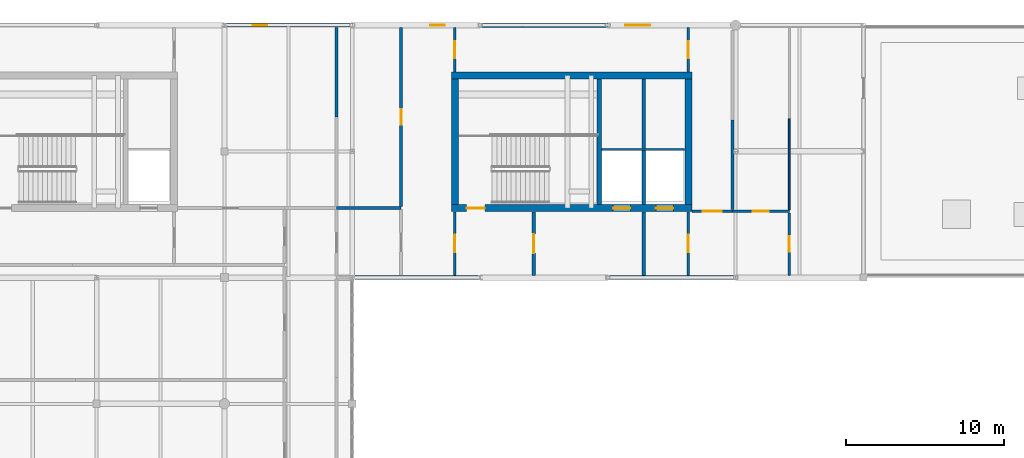
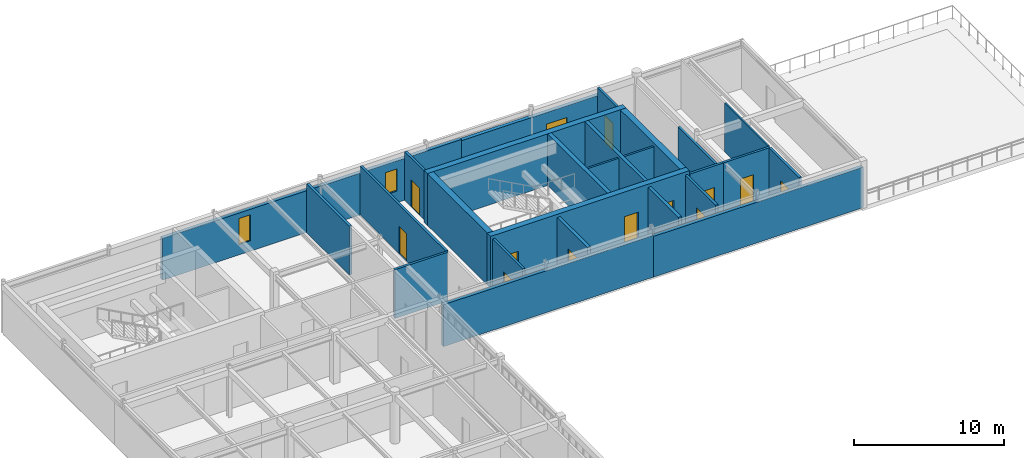
# One storey, part 14 of 18: 26 walls, 12 doors, 3 windows, 15 openings.
"""IFC4 building model written with IfcOpenShell, lengths in metres."""

from ifc_helpers import new_model, si_unit, direction, frame, frame_2d, origin, place, context, subcontext, project, spatial, rectangle, extrude, material, layer, layer_set, type_object, element, fill, save


model = new_model("IFC4")

# Units and contexts
model_context = context("Model", 3, precision=1e-05, world=origin(), true_north=direction((0.0, 1.0)))
body_context = subcontext(model_context, "Body", "Model", "MODEL_VIEW")
ifc_project = project(units=[si_unit("LENGTHUNIT", "METRE"), si_unit("AREAUNIT", "SQUARE_METRE"), si_unit("VOLUMEUNIT", "CUBIC_METRE"), si_unit("PLANEANGLEUNIT", "RADIAN"), si_unit("MASSUNIT", "GRAM", prefix="KILO")], contexts=[model_context])

# Site, building, storey
site_placement = place(None, origin())
site = spatial("IfcSite", under=ifc_project, at=site_placement, CompositionType="ELEMENT")
building_placement = place(site_placement, origin())
building = spatial("IfcBuilding", under=site, at=building_placement, Name="Tarnveldt Square Police Headquarters", CompositionType="ELEMENT")
storey_placement = place(building_placement, frame((0.0, 0.0, 29.10009765625)))
storey = spatial("IfcBuildingStorey", under=building, at=storey_placement, Name="L06", CompositionType="ELEMENT", Elevation=29.10009765625)

# Wall
ifc_material_1 = material(Name="Fire-rated Type X gypsum board on steel studs", Category="steel")
ifc_layer_1 = layer(ifc_material_1, 0.199951171875)
ifc_layer_set_1 = layer_set([ifc_layer_1], Name="Fire-rated Type X gypsum board on steel studs")
wall_type_1 = type_object("IfcWallType", Name="WL-ACOUST-200", PredefinedType="PARTITIONING", material=ifc_layer_set_1)
wall_1_placement = place(storey_placement, frame((39.5, 106.179931640625, 0.0), z_axis=(0.0, 0.0, 1.0), x_axis=(0.0, 1.0, 0.0)))
element("IfcWall", 1, at=wall_1_placement, inside=storey, type_object=wall_type_1, Name="L06 Interior Partition Wall 0708", PredefinedType="PARTITIONING", context=body_context, shape_type="SweptSolid", body=[
    extrude(rectangle(XDim=5.68212890625, YDim=0.199951171875, at=frame_2d((2.841064453125, 0.0))), origin(), (0.0, 0.0, 1.0), 3.9599609375),
])

# Wall, openings, doors
ifc_material_2 = material(Name="Concrete 50 MPa", Category="concrete")
ifc_layer_2 = layer(ifc_material_2, 0.449951171875)
ifc_layer_set_2 = layer_set([ifc_layer_2], Name="Concrete 50 MPa")
wall_type_2 = type_object("IfcWallType", Name="WL-CORE-450", PredefinedType="SHEAR", material=ifc_layer_set_2)
wall_2_placement = place(storey_placement, frame((46.77490234375, 100.39990234375, 0.0), z_axis=(0.0, 0.0, 1.0), x_axis=(1.0, 0.0, 0.0)))
wall_2 = element("IfcWall", 2, at=wall_2_placement, inside=storey, type_object=wall_type_2, Name="Core K3 North-Central Forensic and Firefighting Core L06 South Shear Wall", PredefinedType="SHEAR", context=body_context, shape_type="SweptSolid", body=[
    extrude(rectangle(XDim=15.25, YDim=0.449951171875, at=frame_2d((7.625, 0.0))), origin(), (0.0, 0.0, 1.0), 4.199951171875),
])
opening_1_placement = place(wall_2_placement, frame((0.97509765625, 0.0, 0.0)))
opening_1 = element("IfcOpeningElement", 3, at=opening_1_placement, cuts=wall_2, Name="Opening D-ST3-L06", PredefinedType="OPENING", context=body_context, shape_type="SweptSolid", body=[
    extrude(rectangle(XDim=1.14990234375, YDim=2.25, at=frame_2d((0.574951171875, 1.125))), frame((0.0, 0.23486328125, 0.0), z_axis=(0.0, -1.0, 0.0), x_axis=(1.0, 0.0, 0.0)), (0.0, 0.0, 1.0), 0.469970703125),
])
opening_2_placement = place(wall_2_placement, frame((10.257568359375, 0.0, 0.0)))
opening_2 = element("IfcOpeningElement", 4, at=opening_2_placement, cuts=wall_2, Name="Opening LD-LF2-L06", PredefinedType="OPENING", context=body_context, shape_type="SweptSolid", body=[
    extrude(rectangle(XDim=1.10009765625, YDim=2.199951171875, at=frame_2d((0.550048828125, 1.10009765625))), frame((0.0, 0.23486328125, 0.0), z_axis=(0.0, -1.0, 0.0), x_axis=(1.0, 0.0, 0.0)), (0.0, 0.0, 1.0), 0.469970703125),
])
opening_3_placement = place(wall_2_placement, frame((12.972412109375, 0.0, 0.0)))
opening_3 = element("IfcOpeningElement", 5, at=opening_3_placement, cuts=wall_2, Name="Opening LD-LP3-L06", PredefinedType="OPENING", context=body_context, shape_type="SweptSolid", body=[
    extrude(rectangle(XDim=1.10009765625, YDim=2.199951171875, at=frame_2d((0.550048828125, 1.10009765625))), frame((0.0, 0.23486328125, 0.0), z_axis=(0.0, -1.0, 0.0), x_axis=(1.0, 0.0, 0.0)), (0.0, 0.0, 1.0), 0.469970703125),
])
ifc_material_3 = material(Name="Insulated hollow metal steel door leaf", Category="steel")
door_type_1 = type_object("IfcDoorType", Name="DR-FD90-1150", OperationType="NOTDEFINED", PredefinedType="DOOR", material=ifc_material_3)
door_1_placement = place(opening_1_placement, origin())
door_1 = element("IfcDoor", 6, at=door_1_placement, inside=storey, type_object=door_type_1, Name="Exit Stair ST3 L06 Fire Door", OperationType="SINGLE_SWING_RIGHT", OverallHeight=2.25, OverallWidth=1.14990234375, PredefinedType="DOOR", context=body_context, shape_type="SweptSolid", body=[
    extrude(rectangle(XDim=1.14990234375, YDim=2.25, at=frame_2d((0.574951171875, 1.125))), frame((0.0, 0.02490234375, 0.0), z_axis=(0.0, -1.0, 0.0), x_axis=(1.0, 0.0, 0.0)), (0.0, 0.0, 1.0), 0.050048828125),
])
fill(opening_1, door_1)
ifc_material_4 = material(Name="Steel 350W", Category="steel")
door_type_2 = type_object("IfcDoorType", Name="DR-LD-1100", OperationType="DOUBLE_DOOR_SLIDING", PredefinedType="DOOR", material=ifc_material_4)
door_2_placement = place(opening_2_placement, frame((1.10009765625, 0.0, 0.0), z_axis=(0.0, 0.0, 1.0), x_axis=(-1.0, 0.0, 0.0)))
door_2 = element("IfcDoor", 7, at=door_2_placement, inside=storey, type_object=door_type_2, Name="Elevator LF2 L06 Sliding Landing Door", OperationType="DOUBLE_DOOR_SLIDING", OverallHeight=2.199951171875, OverallWidth=1.10009765625, PredefinedType="DOOR", context=body_context, shape_type="SweptSolid", body=[
    extrude(rectangle(XDim=1.10009765625, YDim=2.199951171875, at=frame_2d((0.550048828125, 1.10009765625))), frame((0.0, 0.02490234375, 0.0), z_axis=(0.0, -1.0, 0.0), x_axis=(1.0, 0.0, 0.0)), (0.0, 0.0, 1.0), 0.050048828125),
])
fill(opening_2, door_2)
door_3_placement = place(opening_3_placement, frame((1.10009765625, 0.0, 0.0), z_axis=(0.0, 0.0, 1.0), x_axis=(-1.0, 0.0, 0.0)))
door_3 = element("IfcDoor", 8, at=door_3_placement, inside=storey, type_object=door_type_2, Name="Elevator LP3 L06 Sliding Landing Door", OperationType="DOUBLE_DOOR_SLIDING", OverallHeight=2.199951171875, OverallWidth=1.10009765625, PredefinedType="DOOR", context=body_context, shape_type="SweptSolid", body=[
    extrude(rectangle(XDim=1.10009765625, YDim=2.199951171875, at=frame_2d((0.550048828125, 1.10009765625))), frame((0.0, 0.02490234375, 0.0), z_axis=(0.0, -1.0, 0.0), x_axis=(1.0, 0.0, 0.0)), (0.0, 0.0, 1.0), 0.050048828125),
])
fill(opening_3, door_3)

# Walls
wall_3_placement = place(storey_placement, frame((46.77490234375, 108.800048828125, 0.0), z_axis=(0.0, 0.0, 1.0), x_axis=(1.0, 0.0, 0.0)))
element("IfcWall", 9, at=wall_3_placement, inside=storey, type_object=wall_type_2, Name="Core K3 North-Central Forensic and Firefighting Core L06 North Shear Wall", PredefinedType="SHEAR", context=body_context, shape_type="SweptSolid", body=[
    extrude(rectangle(XDim=15.25, YDim=0.449951171875, at=frame_2d((7.625, 0.0))), origin(), (0.0, 0.0, 1.0), 4.199951171875),
])
for number, where, z_axis, x_axis, name in (
    (10, (47.0, 100.625, 0.0), (0.0, 0.0, 1.0), (0.0, 1.0, 0.0), "Core K3 North-Central Forensic and Firefighting Core L06 West Shear Wall"),
    (11, (61.800048828125, 100.625, 0.0), (0.0, 0.0, 1.0), (0.0, 1.0, 0.0), "Core K3 North-Central Forensic and Firefighting Core L06 East Shear Wall"),
):
    element("IfcWall", number, at=place(storey_placement, frame(where, z_axis=z_axis, x_axis=x_axis)), inside=storey, type_object=wall_type_2, Name=name, PredefinedType="SHEAR", context=body_context, shape_type="SweptSolid", body=[
        extrude(rectangle(XDim=7.949951171875, YDim=0.449951171875, at=frame_2d((3.97509765625, 0.0))), origin(), (0.0, 0.0, 1.0), 4.199951171875),
    ])
wall_4_placement = place(storey_placement, frame((56.14990234375, 100.625, 0.0), z_axis=(0.0, 0.0, 1.0), x_axis=(0.0, 1.0, 0.0)))
element("IfcWall", 12, at=wall_4_placement, inside=storey, type_object=wall_type_2, Name="Core K3 North-Central Forensic and Firefighting Core L06 Stair-Lift Divider Shear Wall", PredefinedType="SHEAR", context=body_context, shape_type="SweptSolid", body=[
    extrude(rectangle(XDim=7.949951171875, YDim=0.300048828125, at=frame_2d((3.97509765625, 0.0))), origin(), (0.0, 0.0, 1.0), 4.199951171875),
])
wall_5_placement = place(storey_placement, frame((58.97509765625, 100.625, 0.0), z_axis=(0.0, 0.0, 1.0), x_axis=(0.0, 1.0, 0.0)))
element("IfcWall", 13, at=wall_5_placement, inside=storey, type_object=wall_type_2, Name="Core K3 North-Central Forensic and Firefighting Core L06 Dual-Lift Shaft Divider Wall", PredefinedType="SHEAR", context=body_context, shape_type="SweptSolid", body=[
    extrude(rectangle(XDim=7.949951171875, YDim=0.25, at=frame_2d((3.97509765625, 0.0))), origin(), (0.0, 0.0, 1.0), 4.199951171875),
])
ifc_material_5 = material(Name="Precast concrete 35 MPa", Category="concrete")
ifc_layer_3 = layer(ifc_material_5, 0.260009765625)
ifc_layer_set_3 = layer_set([ifc_layer_3], Name="Precast concrete 35 MPa")
wall_type_3 = type_object("IfcWallType", Name="WL-EXT-PC260", PredefinedType="SOLIDWALL", material=ifc_layer_set_3)
wall_6_placement = place(storey_placement, frame((40.679931640625, 96.0, 0.0), z_axis=(0.0, 0.0, 1.0), x_axis=(1.0, 0.0, 0.0)))
element("IfcWall", 14, at=wall_6_placement, inside=storey, type_object=wall_type_3, Name="L06 Brutalist Exterior Wall 0230", PredefinedType="SOLIDWALL", context=body_context, shape_type="SweptSolid", body=[
    extrude(rectangle(XDim=16.110107421875, YDim=0.260009765625, at=frame_2d((8.05517578125, 0.0))), origin(), (0.0, 0.0, 1.0), 3.40185546875),
])
wall_7_placement = place(storey_placement, frame((56.7900390625, 96.0, 0.0), z_axis=(0.0, 0.0, 1.0), x_axis=(1.0, 0.0, 0.0)))
element("IfcWall", 15, at=wall_7_placement, inside=storey, type_object=wall_type_3, Name="L06 Brutalist Exterior Wall 0231", PredefinedType="SOLIDWALL", context=body_context, shape_type="SweptSolid", body=[
    extrude(rectangle(XDim=16.10986328125, YDim=0.260009765625, at=frame_2d((8.054931640625, 0.0))), origin(), (0.0, 0.0, 1.0), 3.302001953125),
])

# Wall, opening, window
wall_8_placement = place(storey_placement, frame((40.5, 112.0, 0.0), z_axis=(0.0, 0.0, 1.0), x_axis=(-1.0, 0.0, 0.0)))
wall_8 = element("IfcWall", 16, at=wall_8_placement, inside=storey, type_object=wall_type_3, Name="L06 Brutalist Exterior Wall 0236", PredefinedType="SOLIDWALL", context=body_context, shape_type="SweptSolid", body=[
    extrude(rectangle(XDim=12.14990234375, YDim=0.260009765625, at=frame_2d((6.074951171875, 0.0))), origin(), (0.0, 0.0, 1.0), 3.40185546875),
])
opening_4_placement = place(wall_8_placement, frame((5.39990234375, 0.0, 0.85009765625)))
opening_4 = element("IfcOpeningElement", 17, at=opening_4_placement, cuts=wall_8, Name="Opening W02", PredefinedType="OPENING", context=body_context, shape_type="SweptSolid", body=[
    extrude(rectangle(XDim=0.89990234375, YDim=2.10009765625, at=frame_2d((0.449951171875, 1.050048828125))), frame((0.0, 0.139892578125, 0.0), z_axis=(0.0, -1.0, 0.0), x_axis=(1.0, 0.0, 0.0)), (0.0, 0.0, 1.0), 0.280029296875),
])
ifc_material_6 = material(Name="Triple-glazed low-e laminated vision glass", Category="glass")
window_type_1 = type_object("IfcWindowType", Name="WIN-DR-090x210", PartitioningType="SINGLE_PANEL", PredefinedType="WINDOW", material=ifc_material_6)
window_1_placement = place(opening_4_placement, origin())
window_1 = element("IfcWindow", 18, at=window_1_placement, inside=storey, type_object=window_type_1, Name="L06 Deep-Reveal Brutalist Window 0122", OverallHeight=2.10009765625, OverallWidth=0.89990234375, PartitioningType="SINGLE_PANEL", PredefinedType="WINDOW", context=body_context, shape_type="SweptSolid", body=[
    extrude(rectangle(XDim=0.89990234375, YDim=2.10009765625, at=frame_2d((0.449951171875, 1.050048828125))), frame((0.0, 0.030029296875, 0.0), z_axis=(0.0, -1.0, 0.0), x_axis=(1.0, 0.0, 0.0)), (0.0, 0.0, 1.0), 0.06005859375),
])
fill(opening_4, window_1)

ifc_layer_4 = layer(ifc_material_5, 0.280029296875)
ifc_layer_set_4 = layer_set([ifc_layer_4], Name="Precast concrete 35 MPa")
wall_type_4 = type_object("IfcWallType", Name="WL-EXT-PC280", PredefinedType="SOLIDWALL", material=ifc_layer_set_4)
wall_9_placement = place(storey_placement, frame((62.10009765625, 112.0, 0.0), z_axis=(0.0, 0.0, 1.0), x_axis=(-1.0, 0.0, 0.0)))
wall_9 = element("IfcWall", 19, at=wall_9_placement, inside=storey, type_object=wall_type_4, Name="L06 Brutalist Exterior Wall 0234", PredefinedType="SOLIDWALL", context=body_context, shape_type="SweptSolid", body=[
    extrude(rectangle(XDim=10.800048828125, YDim=0.280029296875, at=frame_2d((5.39990234375, 0.0))), origin(), (0.0, 0.0, 1.0), 3.302001953125),
])
opening_5_placement = place(wall_9_placement, frame((2.699951171875, 0.0, 0.949951171875)))
opening_5 = element("IfcOpeningElement", 20, at=opening_5_placement, cuts=wall_9, Name="Opening W24", PredefinedType="OPENING", context=body_context, shape_type="SweptSolid", body=[
    extrude(rectangle(XDim=1.60009765625, YDim=1.39990234375, at=frame_2d((0.800048828125, 0.699951171875))), frame((0.0, 0.14990234375, 0.0), z_axis=(0.0, -1.0, 0.0), x_axis=(1.0, 0.0, 0.0)), (0.0, 0.0, 1.0), 0.300048828125),
])
ifc_material_7 = material(Name="UL 752 Level III laminated ballistic vision glass", Category="glass")
window_type_2 = type_object("IfcWindowType", Name="WIN-BAL-160x140", PartitioningType="SINGLE_PANEL", PredefinedType="WINDOW", material=ifc_material_7)
window_2_placement = place(opening_5_placement, origin())
window_2 = element("IfcWindow", 21, at=window_2_placement, inside=storey, type_object=window_type_2, Name="L06 Deep-Reveal Brutalist Window 0120", OverallHeight=1.39990234375, OverallWidth=1.60009765625, PartitioningType="SINGLE_PANEL", PredefinedType="WINDOW", context=body_context, shape_type="SweptSolid", body=[
    extrude(rectangle(XDim=1.60009765625, YDim=1.39990234375, at=frame_2d((0.800048828125, 0.699951171875))), frame((0.0, 0.030029296875, 0.0), z_axis=(0.0, -1.0, 0.0), x_axis=(1.0, 0.0, 0.0)), (0.0, 0.0, 1.0), 0.06005859375),
])
fill(opening_5, window_2)

wall_10_placement = place(storey_placement, frame((51.300048828125, 112.0, 0.0), z_axis=(0.0, 0.0, 1.0), x_axis=(-1.0, 0.0, 0.0)))
wall_10 = element("IfcWall", 22, at=wall_10_placement, inside=storey, type_object=wall_type_4, Name="L06 Brutalist Exterior Wall 0235", PredefinedType="SOLIDWALL", context=body_context, shape_type="SweptSolid", body=[
    extrude(rectangle(XDim=10.800048828125, YDim=0.280029296875, at=frame_2d((5.39990234375, 0.0))), origin(), (0.0, 0.0, 1.0), 3.40185546875),
])
opening_6_placement = place(wall_10_placement, frame((4.949951171875, 0.0, 0.949951171875)))
opening_6 = element("IfcOpeningElement", 23, at=opening_6_placement, cuts=wall_10, Name="Opening W01", PredefinedType="OPENING", context=body_context, shape_type="SweptSolid", body=[
    extrude(rectangle(XDim=0.89990234375, YDim=1.800048828125, at=frame_2d((0.449951171875, 0.89990234375))), frame((0.0, 0.14990234375, 0.0), z_axis=(0.0, -1.0, 0.0), x_axis=(1.0, 0.0, 0.0)), (0.0, 0.0, 1.0), 0.300048828125),
])
window_type_3 = type_object("IfcWindowType", Name="WIN-DR-090x180", PartitioningType="SINGLE_PANEL", PredefinedType="WINDOW", material=ifc_material_6)
window_3_placement = place(opening_6_placement, origin())
window_3 = element("IfcWindow", 24, at=window_3_placement, inside=storey, type_object=window_type_3, Name="L06 Deep-Reveal Brutalist Window 0121", OverallHeight=1.800048828125, OverallWidth=0.89990234375, PartitioningType="SINGLE_PANEL", PredefinedType="WINDOW", context=body_context, shape_type="SweptSolid", body=[
    extrude(rectangle(XDim=0.89990234375, YDim=1.800048828125, at=frame_2d((0.449951171875, 0.89990234375))), frame((0.0, 0.030029296875, 0.0), z_axis=(0.0, -1.0, 0.0), x_axis=(1.0, 0.0, 0.0)), (0.0, 0.0, 1.0), 0.06005859375),
])
fill(opening_6, window_3)

# Wall
ifc_layer_5 = layer(ifc_material_1, 0.179931640625)
ifc_layer_set_5 = layer_set([ifc_layer_5], Name="Fire-rated Type X gypsum board on steel studs")
wall_type_5 = type_object("IfcWallType", Name="WL-FIRE-180", PredefinedType="PARTITIONING", material=ifc_layer_set_5)
wall_11_placement = place(storey_placement, frame((39.5, 100.39990234375, 0.0), z_axis=(0.0, 0.0, 1.0), x_axis=(1.0, 0.0, 0.0)))
element("IfcWall", 25, at=wall_11_placement, inside=storey, type_object=wall_type_5, Name="L06 Interior Partition Wall 0681", PredefinedType="PARTITIONING", context=body_context, shape_type="SweptSolid", body=[
    extrude(rectangle(XDim=4.10009765625, YDim=0.179931640625, at=frame_2d((2.050048828125, 0.0))), origin(), (0.0, 0.0, 1.0), 3.9599609375),
])

# Wall, opening, door
wall_12_placement = place(storey_placement, frame((62.02490234375, 100.199951171875, 0.0), z_axis=(0.0, 0.0, 1.0), x_axis=(1.0, 0.0, 0.0)))
wall_12 = element("IfcWall", 26, at=wall_12_placement, inside=storey, type_object=wall_type_5, Name="L06 Interior Partition Wall 0682", PredefinedType="PARTITIONING", context=body_context, shape_type="SweptSolid", body=[
    extrude(rectangle(XDim=2.5751953125, YDim=0.179931640625, at=frame_2d((1.28759765625, 0.0))), origin(), (0.0, 0.0, 1.0), 3.9599609375),
])
opening_7_placement = place(wall_12_placement, frame((0.6875, 0.0, 0.0)))
opening_7 = element("IfcOpeningElement", 27, at=opening_7_placement, cuts=wall_12, Name="Opening D16", PredefinedType="OPENING", context=body_context, shape_type="SweptSolid", body=[
    extrude(rectangle(XDim=1.199951171875, YDim=2.199951171875, at=frame_2d((0.60009765625, 1.10009765625))), frame((0.0, 0.099853515625, 0.0), z_axis=(0.0, -1.0, 0.0), x_axis=(1.0, 0.0, 0.0)), (0.0, 0.0, 1.0), 0.199951171875),
])
door_type_3 = type_object("IfcDoorType", Name="DR-FD60-1200", OperationType="NOTDEFINED", PredefinedType="DOOR", material=ifc_material_3)
door_4_placement = place(opening_7_placement, frame((1.199951171875, 0.0, 0.0), z_axis=(0.0, 0.0, 1.0), x_axis=(-1.0, 0.0, 0.0)))
door_4 = element("IfcDoor", 28, at=door_4_placement, inside=storey, type_object=door_type_3, Name="North Return Corridor L06 Door", OperationType="SINGLE_SWING_RIGHT", OverallHeight=2.199951171875, OverallWidth=1.199951171875, PredefinedType="DOOR", context=body_context, shape_type="SweptSolid", body=[
    extrude(rectangle(XDim=1.199951171875, YDim=2.199951171875, at=frame_2d((0.60009765625, 1.10009765625))), frame((0.0, 0.02490234375, 0.0), z_axis=(0.0, -1.0, 0.0), x_axis=(1.0, 0.0, 0.0)), (0.0, 0.0, 1.0), 0.050048828125),
])
fill(opening_7, door_4)

wall_13_placement = place(storey_placement, frame((64.60009765625, 100.199951171875, 0.0), z_axis=(0.0, 0.0, 1.0), x_axis=(1.0, 0.0, 0.0)))
wall_13 = element("IfcWall", 29, at=wall_13_placement, inside=storey, type_object=wall_type_5, Name="L06 Interior Partition Wall 0683", PredefinedType="PARTITIONING", context=body_context, shape_type="SweptSolid", body=[
    extrude(rectangle(XDim=3.599853515625, YDim=0.179931640625, at=frame_2d((1.7998046875, 0.0))), origin(), (0.0, 0.0, 1.0), 3.9599609375),
])
opening_8_placement = place(wall_13_placement, frame((1.300048828125, 0.0, 0.0)))
opening_8 = element("IfcOpeningElement", 30, at=opening_8_placement, cuts=wall_13, Name="Opening D05", PredefinedType="OPENING", context=body_context, shape_type="SweptSolid", body=[
    extrude(rectangle(XDim=1.0, YDim=2.199951171875, at=frame_2d((0.5, 1.10009765625))), frame((0.0, 0.099853515625, 0.0), z_axis=(0.0, -1.0, 0.0), x_axis=(1.0, 0.0, 0.0)), (0.0, 0.0, 1.0), 0.199951171875),
])
ifc_material_8 = material(Name="Solid core architectural birch door leaf", Category="wood")
door_type_4 = type_object("IfcDoorType", Name="DR-INT-1000", OperationType="NOTDEFINED", PredefinedType="DOOR", material=ifc_material_8)
door_5_placement = place(opening_8_placement, origin())
door_5 = element("IfcDoor", 31, at=door_5_placement, inside=storey, type_object=door_type_4, Name="Police Recruitment and Training Administration Door", OperationType="SINGLE_SWING_LEFT", OverallHeight=2.199951171875, OverallWidth=1.0, PredefinedType="DOOR", context=body_context, shape_type="SweptSolid", body=[
    extrude(rectangle(XDim=1.0, YDim=2.199951171875, at=frame_2d((0.5, 1.10009765625))), frame((0.0, 0.02490234375, 0.0), z_axis=(0.0, -1.0, 0.0), x_axis=(1.0, 0.0, 0.0)), (0.0, 0.0, 1.0), 0.050048828125),
])
fill(opening_8, door_5)

wall_14_placement = place(storey_placement, frame((43.60009765625, 100.498046875, 0.0), z_axis=(0.0, 0.0, 1.0), x_axis=(0.0, 1.0, 0.0)))
wall_14 = element("IfcWall", 32, at=wall_14_placement, inside=storey, type_object=wall_type_5, Name="L06 Interior Partition Wall 0710", PredefinedType="PARTITIONING", context=body_context, shape_type="SweptSolid", body=[
    extrude(rectangle(XDim=11.35400390625, YDim=0.179931640625, at=frame_2d((5.677001953125, 0.0))), origin(), (0.0, 0.0, 1.0), 3.9599609375),
])
opening_9_placement = place(wall_14_placement, frame((5.177001953125, 0.0, 0.0)))
opening_9 = element("IfcOpeningElement", 33, at=opening_9_placement, cuts=wall_14, Name="Opening D05", PredefinedType="OPENING", context=body_context, shape_type="SweptSolid", body=[
    extrude(rectangle(XDim=1.0, YDim=2.199951171875, at=frame_2d((0.5, 1.10009765625))), frame((0.0, 0.099853515625, 0.0), z_axis=(0.0, -1.0, 0.0), x_axis=(1.0, 0.0, 0.0)), (0.0, 0.0, 1.0), 0.199951171875),
])
door_6_placement = place(opening_9_placement, origin())
door_6 = element("IfcDoor", 34, at=door_6_placement, inside=storey, type_object=door_type_4, Name="Electronic Audit Investigation Office Door", OperationType="SINGLE_SWING_LEFT", OverallHeight=2.199951171875, OverallWidth=1.0, PredefinedType="DOOR", context=body_context, shape_type="SweptSolid", body=[
    extrude(rectangle(XDim=1.0, YDim=2.199951171875, at=frame_2d((0.5, 1.10009765625))), frame((0.0, 0.02490234375, 0.0), z_axis=(0.0, -1.0, 0.0), x_axis=(1.0, 0.0, 0.0)), (0.0, 0.0, 1.0), 0.050048828125),
])
fill(opening_9, door_6)

wall_15_placement = place(storey_placement, frame((47.0, 96.137939453125, 0.0), z_axis=(0.0, 0.0, 1.0), x_axis=(0.0, 1.0, 0.0)))
wall_15 = element("IfcWall", 35, at=wall_15_placement, inside=storey, type_object=wall_type_5, Name="L06 Interior Partition Wall 0711", PredefinedType="PARTITIONING", context=body_context, shape_type="SweptSolid", body=[
    extrude(rectangle(XDim=4.029052734375, YDim=0.179931640625, at=frame_2d((2.0146484375, 0.0))), origin(), (0.0, 0.0, 1.0), 3.9599609375),
])
opening_10_placement = place(wall_15_placement, frame((1.464599609375, 0.0, 0.0)))
opening_10 = element("IfcOpeningElement", 36, at=opening_10_placement, cuts=wall_15, Name="Opening D15", PredefinedType="OPENING", context=body_context, shape_type="SweptSolid", body=[
    extrude(rectangle(XDim=1.10009765625, YDim=2.199951171875, at=frame_2d((0.550048828125, 1.10009765625))), frame((0.0, 0.099853515625, 0.0), z_axis=(0.0, -1.0, 0.0), x_axis=(1.0, 0.0, 0.0)), (0.0, 0.0, 1.0), 0.199951171875),
])
door_type_5 = type_object("IfcDoorType", Name="DR-FD60-1100", OperationType="NOTDEFINED", PredefinedType="DOOR", material=ifc_material_3)
door_7_placement = place(opening_10_placement, origin())
door_7 = element("IfcDoor", 37, at=door_7_placement, inside=storey, type_object=door_type_5, Name="Core Stair Lobby K3-L06 Door", OperationType="SINGLE_SWING_RIGHT", OverallHeight=2.199951171875, OverallWidth=1.10009765625, PredefinedType="DOOR", context=body_context, shape_type="SweptSolid", body=[
    extrude(rectangle(XDim=1.10009765625, YDim=2.199951171875, at=frame_2d((0.550048828125, 1.10009765625))), frame((0.0, 0.02490234375, 0.0), z_axis=(0.0, -1.0, 0.0), x_axis=(1.0, 0.0, 0.0)), (0.0, 0.0, 1.0), 0.050048828125),
])
fill(opening_10, door_7)

wall_16_placement = place(storey_placement, frame((47.0, 109.032958984375, 0.0), z_axis=(0.0, 0.0, 1.0), x_axis=(0.0, 1.0, 0.0)))
wall_16 = element("IfcWall", 38, at=wall_16_placement, inside=storey, type_object=wall_type_5, Name="L06 Interior Partition Wall 0712", PredefinedType="PARTITIONING", context=body_context, shape_type="SweptSolid", body=[
    extrude(rectangle(XDim=2.819091796875, YDim=0.179931640625, at=frame_2d((1.40966796875, 0.0))), origin(), (0.0, 0.0, 1.0), 3.9599609375),
])
opening_11_placement = place(wall_16_placement, frame((0.859619140625, 0.0, 0.0)))
opening_11 = element("IfcOpeningElement", 39, at=opening_11_placement, cuts=wall_16, Name="Opening D15", PredefinedType="OPENING", context=body_context, shape_type="SweptSolid", body=[
    extrude(rectangle(XDim=1.10009765625, YDim=2.199951171875, at=frame_2d((0.550048828125, 1.10009765625))), frame((0.0, 0.099853515625, 0.0), z_axis=(0.0, -1.0, 0.0), x_axis=(1.0, 0.0, 0.0)), (0.0, 0.0, 1.0), 0.199951171875),
])
door_8_placement = place(opening_11_placement, frame((1.10009765625, 0.0, 0.0), z_axis=(0.0, 0.0, 1.0), x_axis=(-1.0, 0.0, 0.0)))
door_8 = element("IfcDoor", 40, at=door_8_placement, inside=storey, type_object=door_type_5, Name="Core K3 North Corridor L06 Door", OperationType="SINGLE_SWING_LEFT", OverallHeight=2.199951171875, OverallWidth=1.10009765625, PredefinedType="DOOR", context=body_context, shape_type="SweptSolid", body=[
    extrude(rectangle(XDim=1.10009765625, YDim=2.199951171875, at=frame_2d((0.550048828125, 1.10009765625))), frame((0.0, 0.02490234375, 0.0), z_axis=(0.0, -1.0, 0.0), x_axis=(1.0, 0.0, 0.0)), (0.0, 0.0, 1.0), 0.050048828125),
])
fill(opening_11, door_8)

wall_17_placement = place(storey_placement, frame((61.800048828125, 96.137939453125, 0.0), z_axis=(0.0, 0.0, 1.0), x_axis=(0.0, 1.0, 0.0)))
wall_17 = element("IfcWall", 41, at=wall_17_placement, inside=storey, type_object=wall_type_5, Name="L06 Interior Partition Wall 0715", PredefinedType="PARTITIONING", context=body_context, shape_type="SweptSolid", body=[
    extrude(rectangle(XDim=4.029052734375, YDim=0.179931640625, at=frame_2d((2.0146484375, 0.0))), origin(), (0.0, 0.0, 1.0), 3.9599609375),
])
opening_12_placement = place(wall_17_placement, frame((1.464599609375, 0.0, 0.0)))
opening_12 = element("IfcOpeningElement", 42, at=opening_12_placement, cuts=wall_17, Name="Opening D15", PredefinedType="OPENING", context=body_context, shape_type="SweptSolid", body=[
    extrude(rectangle(XDim=1.10009765625, YDim=2.199951171875, at=frame_2d((0.550048828125, 1.10009765625))), frame((0.0, 0.099853515625, 0.0), z_axis=(0.0, -1.0, 0.0), x_axis=(1.0, 0.0, 0.0)), (0.0, 0.0, 1.0), 0.199951171875),
])
door_9_placement = place(opening_12_placement, frame((1.10009765625, 0.0, 0.0), z_axis=(0.0, 0.0, 1.0), x_axis=(-1.0, 0.0, 0.0)))
door_9 = element("IfcDoor", 43, at=door_9_placement, inside=storey, type_object=door_type_5, Name="Passenger Lift Lobby K3-L06 Door", OperationType="SINGLE_SWING_LEFT", OverallHeight=2.199951171875, OverallWidth=1.10009765625, PredefinedType="DOOR", context=body_context, shape_type="SweptSolid", body=[
    extrude(rectangle(XDim=1.10009765625, YDim=2.199951171875, at=frame_2d((0.550048828125, 1.10009765625))), frame((0.0, 0.02490234375, 0.0), z_axis=(0.0, -1.0, 0.0), x_axis=(1.0, 0.0, 0.0)), (0.0, 0.0, 1.0), 0.050048828125),
])
fill(opening_12, door_9)

wall_18_placement = place(storey_placement, frame((61.800048828125, 109.032958984375, 0.0), z_axis=(0.0, 0.0, 1.0), x_axis=(0.0, 1.0, 0.0)))
wall_18 = element("IfcWall", 44, at=wall_18_placement, inside=storey, type_object=wall_type_5, Name="L06 Interior Partition Wall 0716", PredefinedType="PARTITIONING", context=body_context, shape_type="SweptSolid", body=[
    extrude(rectangle(XDim=2.819091796875, YDim=0.179931640625, at=frame_2d((1.40966796875, 0.0))), origin(), (0.0, 0.0, 1.0), 3.9599609375),
])
opening_13_placement = place(wall_18_placement, frame((0.859619140625, 0.0, 0.0)))
opening_13 = element("IfcOpeningElement", 45, at=opening_13_placement, cuts=wall_18, Name="Opening D15", PredefinedType="OPENING", context=body_context, shape_type="SweptSolid", body=[
    extrude(rectangle(XDim=1.10009765625, YDim=2.199951171875, at=frame_2d((0.550048828125, 1.10009765625))), frame((0.0, 0.099853515625, 0.0), z_axis=(0.0, -1.0, 0.0), x_axis=(1.0, 0.0, 0.0)), (0.0, 0.0, 1.0), 0.199951171875),
])
door_10_placement = place(opening_13_placement, origin())
door_10 = element("IfcDoor", 46, at=door_10_placement, inside=storey, type_object=door_type_5, Name="Core K3 North Corridor L06 Secondary Door", OperationType="SINGLE_SWING_RIGHT", OverallHeight=2.199951171875, OverallWidth=1.10009765625, PredefinedType="DOOR", context=body_context, shape_type="SweptSolid", body=[
    extrude(rectangle(XDim=1.10009765625, YDim=2.199951171875, at=frame_2d((0.550048828125, 1.10009765625))), frame((0.0, 0.02490234375, 0.0), z_axis=(0.0, -1.0, 0.0), x_axis=(1.0, 0.0, 0.0)), (0.0, 0.0, 1.0), 0.050048828125),
])
fill(opening_13, door_10)

# Wall
wall_19_placement = place(storey_placement, frame((64.60009765625, 100.298095703125, 0.0), z_axis=(0.0, 0.0, 1.0), x_axis=(0.0, 1.0, 0.0)))
element("IfcWall", 47, at=wall_19_placement, inside=storey, type_object=wall_type_5, Name="L06 Interior Partition Wall 0717", PredefinedType="PARTITIONING", context=body_context, shape_type="SweptSolid", body=[
    extrude(rectangle(XDim=5.684326171875, YDim=0.179931640625, at=frame_2d((2.84228515625, 0.0))), origin(), (0.0, 0.0, 1.0), 3.351806640625),
])

# Wall, opening, door
wall_20_placement = place(storey_placement, frame((68.199951171875, 96.137939453125, 0.0), z_axis=(0.0, 0.0, 1.0), x_axis=(0.0, 1.0, 0.0)))
wall_20 = element("IfcWall", 48, at=wall_20_placement, inside=storey, type_object=wall_type_5, Name="L06 Interior Partition Wall 0719", PredefinedType="PARTITIONING", context=body_context, shape_type="SweptSolid", body=[
    extrude(rectangle(XDim=3.964111328125, YDim=0.179931640625, at=frame_2d((1.98193359375, 0.0))), origin(), (0.0, 0.0, 1.0), 3.9599609375),
])
opening_14_placement = place(wall_20_placement, frame((1.48193359375, 0.0, 0.0)))
opening_14 = element("IfcOpeningElement", 49, at=opening_14_placement, cuts=wall_20, Name="Opening D05", PredefinedType="OPENING", context=body_context, shape_type="SweptSolid", body=[
    extrude(rectangle(XDim=1.0, YDim=2.199951171875, at=frame_2d((0.5, 1.10009765625))), frame((0.0, 0.099853515625, 0.0), z_axis=(0.0, -1.0, 0.0), x_axis=(1.0, 0.0, 0.0)), (0.0, 0.0, 1.0), 0.199951171875),
])
door_11_placement = place(opening_14_placement, frame((1.0, 0.0, 0.0), z_axis=(0.0, 0.0, 1.0), x_axis=(-1.0, 0.0, 0.0)))
door_11 = element("IfcDoor", 50, at=door_11_placement, inside=storey, type_object=door_type_4, Name="East Terrace Staff Reading Lounge L06 Door", OperationType="SINGLE_SWING_LEFT", OverallHeight=2.199951171875, OverallWidth=1.0, PredefinedType="DOOR", context=body_context, shape_type="SweptSolid", body=[
    extrude(rectangle(XDim=1.0, YDim=2.199951171875, at=frame_2d((0.5, 1.10009765625))), frame((0.0, 0.02490234375, 0.0), z_axis=(0.0, -1.0, 0.0), x_axis=(1.0, 0.0, 0.0)), (0.0, 0.0, 1.0), 0.050048828125),
])
fill(opening_14, door_11)

ifc_material_9 = material(Name="Concrete block masonry 15 MPa", Category="masonry")
ifc_layer_6 = layer(ifc_material_9, 0.239990234375)
ifc_layer_set_6 = layer_set([ifc_layer_6], Name="Concrete block masonry 15 MPa")
wall_type_6 = type_object("IfcWallType", Name="WL-FIRE-240", PredefinedType="PARTITIONING", material=ifc_layer_set_6)
wall_21_placement = place(storey_placement, frame((52.0, 96.137939453125, 0.0), z_axis=(0.0, 0.0, 1.0), x_axis=(0.0, 1.0, 0.0)))
wall_21 = element("IfcWall", 51, at=wall_21_placement, inside=storey, type_object=wall_type_6, Name="L06 Interior Partition Wall 0713", PredefinedType="PARTITIONING", context=body_context, shape_type="SweptSolid", body=[
    extrude(rectangle(XDim=4.029052734375, YDim=0.239990234375, at=frame_2d((2.0146484375, 0.0))), origin(), (0.0, 0.0, 1.0), 3.9599609375),
])
opening_15_placement = place(wall_21_placement, frame((1.41455078125, 0.0, 0.0)))
opening_15 = element("IfcOpeningElement", 52, at=opening_15_placement, cuts=wall_21, Name="Opening D20", PredefinedType="OPENING", context=body_context, shape_type="SweptSolid", body=[
    extrude(rectangle(XDim=1.199951171875, YDim=2.300048828125, at=frame_2d((0.60009765625, 1.14990234375))), frame((0.0, 0.1298828125, 0.0), z_axis=(0.0, -1.0, 0.0), x_axis=(1.0, 0.0, 0.0)), (0.0, 0.0, 1.0), 0.260009765625),
])
door_type_6 = type_object("IfcDoorType", Name="DR-FD90-1200", OperationType="NOTDEFINED", PredefinedType="DOOR", material=ifc_material_3)
door_12_placement = place(opening_15_placement, origin())
door_12 = element("IfcDoor", 53, at=door_12_placement, inside=storey, type_object=door_type_6, Name="Firefighting Lift Lobby K3-L06 Door", OperationType="SINGLE_SWING_RIGHT", OverallHeight=2.300048828125, OverallWidth=1.199951171875, PredefinedType="DOOR", context=body_context, shape_type="SweptSolid", body=[
    extrude(rectangle(XDim=1.199951171875, YDim=2.300048828125, at=frame_2d((0.60009765625, 1.14990234375))), frame((0.0, 0.02490234375, 0.0), z_axis=(0.0, -1.0, 0.0), x_axis=(1.0, 0.0, 0.0)), (0.0, 0.0, 1.0), 0.050048828125),
])
fill(opening_15, door_12)

# Walls
wall_22_placement = place(storey_placement, frame((58.97509765625, 96.137939453125, 0.0), z_axis=(0.0, 0.0, 1.0), x_axis=(0.0, 1.0, 0.0)))
element("IfcWall", 54, at=wall_22_placement, inside=storey, type_object=wall_type_6, Name="L06 Interior Partition Wall 0714", PredefinedType="PARTITIONING", context=body_context, shape_type="SweptSolid", body=[
    extrude(rectangle(XDim=4.029052734375, YDim=0.239990234375, at=frame_2d((2.0146484375, 0.0))), origin(), (0.0, 0.0, 1.0), 3.9599609375),
])
ifc_layer_7 = layer(ifc_material_1, 0.110107421875)
ifc_layer_set_7 = layer_set([ifc_layer_7], Name="Fire-rated Type X gypsum board on steel studs")
wall_type_7 = type_object("IfcWallType", Name="WL-PART-110", PredefinedType="PARTITIONING", material=ifc_layer_set_7)
wall_23_placement = place(storey_placement, frame((68.199951171875, 100.298095703125, 0.0), z_axis=(0.0, 0.0, 1.0), x_axis=(0.0, 1.0, 0.0)))
element("IfcWall", 55, at=wall_23_placement, inside=storey, type_object=wall_type_7, Name="L06 Interior Partition Wall 0720", PredefinedType="PARTITIONING", context=body_context, shape_type="SweptSolid", body=[
    extrude(rectangle(XDim=5.77685546875, YDim=0.110107421875, at=frame_2d((2.888427734375, 0.0))), origin(), (0.0, 0.0, 1.0), 3.9599609375),
])
ifc_layer_8 = layer(ifc_material_1, 0.14990234375)
ifc_layer_set_8 = layer_set([ifc_layer_8], Name="Fire-rated Type X gypsum board on steel studs")
wall_type_8 = type_object("IfcWallType", Name="WL-SHAFT-150", PredefinedType="PARTITIONING", material=ifc_layer_set_8)
wall_24_placement = place(storey_placement, frame((56.300048828125, 104.1201171875, 0.0), z_axis=(0.0, 0.0, 1.0), x_axis=(1.0, 0.0, 0.0)))
element("IfcWall", 56, at=wall_24_placement, inside=storey, type_object=wall_type_8, Name="K3 L06 Elevator Shaft Back Wall", PredefinedType="PARTITIONING", context=body_context, shape_type="SweptSolid", body=[
    extrude(rectangle(XDim=5.25, YDim=0.14990234375, at=frame_2d((2.625, 0.0))), origin(), (0.0, 0.0, 1.0), 3.9599609375),
])

save(model, "model.ifc")
